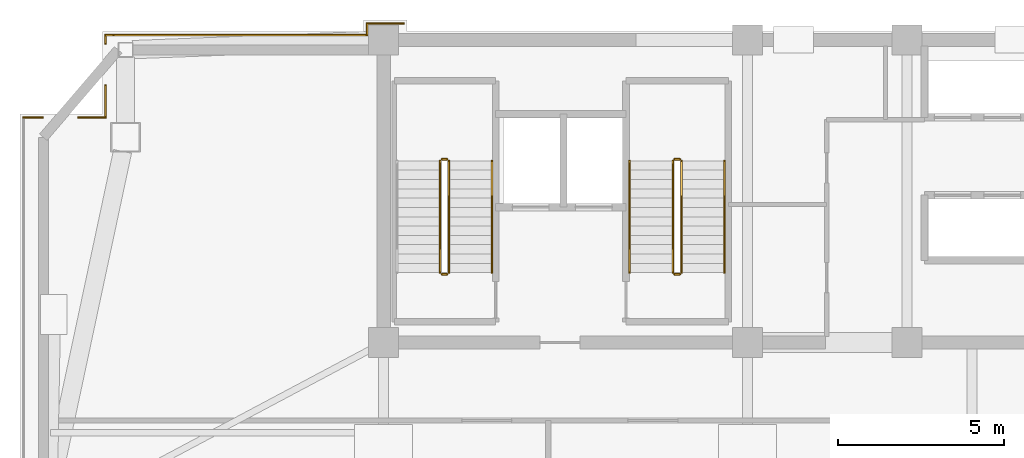
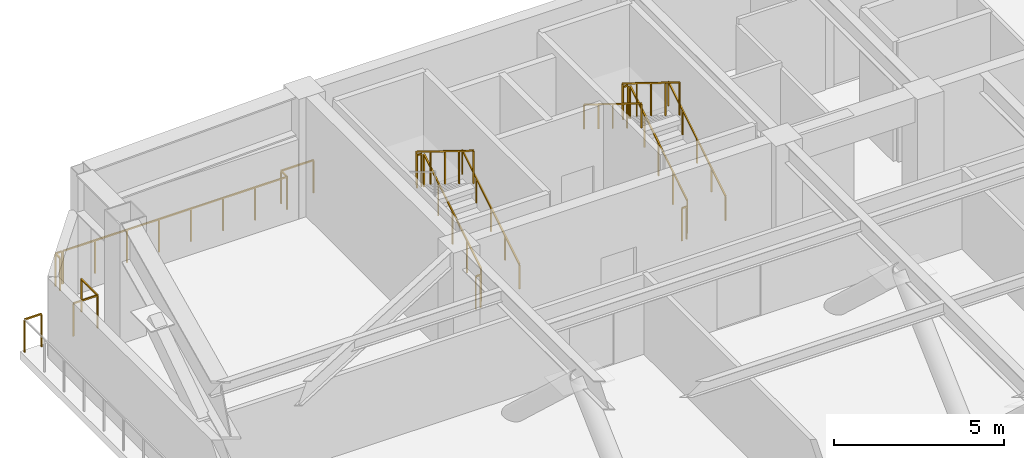
# One storey, part 7 of 8: 19 railings.
"""IFC4 building model written with IfcOpenShell, lengths in metres."""

from ifc_helpers import new_model, si_unit, direction, frame, origin, origin_2d, place, context, subcontext, project, spatial, rectangle, extrude, material, type_object, element, save


model = new_model("IFC4")

# Units and contexts
model_context = context("Model", 3, precision=1e-05, world=origin(), true_north=direction((0.0, 1.0)))
body_context = subcontext(model_context, "Body", "Model", "MODEL_VIEW")
ifc_project = project(units=[si_unit("LENGTHUNIT", "METRE"), si_unit("AREAUNIT", "SQUARE_METRE"), si_unit("VOLUMEUNIT", "CUBIC_METRE"), si_unit("PLANEANGLEUNIT", "RADIAN"), si_unit("MASSUNIT", "GRAM", prefix="KILO")], contexts=[model_context])

# Site, building, storey
site_placement = place(None, origin())
site = spatial("IfcSite", under=ifc_project, at=site_placement, CompositionType="ELEMENT")
building_placement = place(site_placement, origin())
building = spatial("IfcBuilding", under=site, at=building_placement, Name="Giltprow Tower", CompositionType="ELEMENT")
storey_placement = place(building_placement, frame((0.0, 0.0, 285.89990234375)))
storey = spatial("IfcBuildingStorey", under=building, at=storey_placement, Name="L73", CompositionType="ELEMENT", Elevation=285.89990234375)

# Railings
ifc_material = material(Name="Anodized bronze", Category="metal")
railing_type_1 = type_object("IfcRailingType", Name="RAIL-BALC-GUARD-1200", PredefinedType="BALUSTRADE", material=ifc_material)
railing_1_placement = place(storey_placement, frame((9.009033203125, 44.221923828125, 0.0)))
element("IfcRailing", 1, at=railing_1_placement, inside=storey, type_object=railing_type_1, Name="L73 Corner Apron Edge Balustrade 12", PredefinedType="BALUSTRADE", context=body_context, shape_type="SweptSolid", body=[
    extrude(rectangle(XDim=0.048095703125, YDim=0.048095703125, at=origin_2d()), frame((0.0, 0.0, 1.17578125), z_axis=(1.0, 0.0, 0.0), x_axis=(0.0, 1.0, 0.0)), (0.0, 0.0, 1.0), 0.573974609375),
    extrude(rectangle(XDim=0.0419921875, YDim=0.0419921875, at=origin_2d()), origin(), (0.0, 0.0, 1.0), 1.15185546875),
    extrude(rectangle(XDim=0.0419921875, YDim=0.0419921875, at=origin_2d()), frame((0.573974609375, 0.0, 0.0)), (0.0, 0.0, 1.0), 1.15185546875),
])
railing_2_placement = place(storey_placement, frame((10.6630859375, 44.221923828125, 0.0)))
element("IfcRailing", 2, at=railing_2_placement, inside=storey, type_object=railing_type_1, Name="L73 Corner Apron Edge Balustrade 13", PredefinedType="BALUSTRADE", context=body_context, shape_type="SweptSolid", body=[
    extrude(rectangle(XDim=0.048095703125, YDim=0.048095703125, at=origin_2d()), frame((0.0, 0.0, 1.17578125), z_axis=(1.0, 0.0, 0.0), x_axis=(0.0, 1.0, 0.0)), (0.0, 0.0, 1.0), 0.822998046875),
    extrude(rectangle(XDim=0.0419921875, YDim=0.0419921875, at=origin_2d()), origin(), (0.0, 0.0, 1.0), 1.15185546875),
    extrude(rectangle(XDim=0.0419921875, YDim=0.0419921875, at=origin_2d()), frame((0.822998046875, 0.0, 0.0)), (0.0, 0.0, 1.0), 1.15185546875),
])
railing_3_placement = place(storey_placement, frame((11.486083984375, 44.221923828125, 0.0)))
element("IfcRailing", 3, at=railing_3_placement, inside=storey, type_object=railing_type_1, Name="L73 Corner Apron Edge Balustrade 14", PredefinedType="BALUSTRADE", context=body_context, shape_type="SweptSolid", body=[
    extrude(rectangle(XDim=0.048095703125, YDim=0.048095703125, at=origin_2d()), frame((0.0, 0.0, 1.17578125), z_axis=(0.0, 1.0, 0.0), x_axis=(-1.0, 0.0, 0.0)), (0.0, 0.0, 1.0), 0.9599609375),
    extrude(rectangle(XDim=0.0419921875, YDim=0.0419921875, at=origin_2d()), origin(), (0.0, 0.0, 1.0), 1.15185546875),
    extrude(rectangle(XDim=0.0419921875, YDim=0.0419921875, at=origin_2d()), frame((0.0, 0.9599609375, 0.0)), (0.0, 0.0, 1.0), 1.15185546875),
])
railing_4_placement = place(storey_placement, frame((11.486083984375, 46.44189453125, 0.0)))
element("IfcRailing", 4, at=railing_4_placement, inside=storey, type_object=railing_type_1, Name="L73 Corner Apron Edge Balustrade 15", PredefinedType="BALUSTRADE", context=body_context, shape_type="SweptSolid", body=[
    extrude(rectangle(XDim=0.048095703125, YDim=0.048095703125, at=origin_2d()), frame((0.0, 0.0, 1.17578125), z_axis=(0.0, 1.0, 0.0), x_axis=(-1.0, 0.0, 0.0)), (0.0, 0.0, 1.0), 0.257080078125),
    extrude(rectangle(XDim=0.0419921875, YDim=0.0419921875, at=origin_2d()), origin(), (0.0, 0.0, 1.0), 1.15185546875),
    extrude(rectangle(XDim=0.0419921875, YDim=0.0419921875, at=origin_2d()), frame((0.0, 0.257080078125, 0.0)), (0.0, 0.0, 1.0), 1.15185546875),
])
railing_5_placement = place(storey_placement, frame((11.486083984375, 46.698974609375, 0.0)))
element("IfcRailing", 5, at=railing_5_placement, inside=storey, type_object=railing_type_1, Name="L73 Corner Apron Edge Balustrade 16", PredefinedType="BALUSTRADE", context=body_context, shape_type="SweptSolid", body=[
    extrude(rectangle(XDim=0.048095703125, YDim=0.048095703125, at=origin_2d()), frame((0.0, 0.0, 1.17578125), z_axis=(1.0, 0.0, 0.0), x_axis=(0.0, 1.0, 0.0)), (0.0, 0.0, 1.0), 0.219970703125),
    extrude(rectangle(XDim=0.0419921875, YDim=0.0419921875, at=origin_2d()), origin(), (0.0, 0.0, 1.0), 1.15185546875),
    extrude(rectangle(XDim=0.0419921875, YDim=0.0419921875, at=origin_2d()), frame((0.219970703125, 0.0, 0.0)), (0.0, 0.0, 1.0), 1.15185546875),
])
railing_6_placement = place(storey_placement, frame((11.737060546875, 46.698974609375, 0.0)))
element("IfcRailing", 6, at=railing_6_placement, inside=storey, type_object=railing_type_1, Name="L73 Corner Apron Edge Balustrade 17", PredefinedType="BALUSTRADE", context=body_context, shape_type="SweptSolid", body=[
    extrude(rectangle(XDim=0.048095703125, YDim=0.048095703125, at=origin_2d()), frame((0.0, 0.0, 1.17578125), z_axis=(1.0, 0.0, 0.0), x_axis=(0.0, 1.0, 0.0)), (0.0, 0.0, 1.0), 7.613037109375),
    extrude(rectangle(XDim=0.0419921875, YDim=0.0419921875, at=origin_2d()), origin(), (0.0, 0.0, 1.0), 1.15185546875),
    extrude(rectangle(XDim=0.0419921875, YDim=0.0419921875, at=origin_2d()), frame((1.087646484375, 0.0, 0.0)), (0.0, 0.0, 1.0), 1.15185546875),
    extrude(rectangle(XDim=0.0419921875, YDim=0.0419921875, at=origin_2d()), frame((2.175048828125, 0.0, 0.0)), (0.0, 0.0, 1.0), 1.15185546875),
    extrude(rectangle(XDim=0.0419921875, YDim=0.0419921875, at=origin_2d()), frame((3.2626953125, 0.0, 0.0)), (0.0, 0.0, 1.0), 1.15185546875),
    extrude(rectangle(XDim=0.0419921875, YDim=0.0419921875, at=origin_2d()), frame((4.350341796875, 0.0, 0.0)), (0.0, 0.0, 1.0), 1.15185546875),
    extrude(rectangle(XDim=0.0419921875, YDim=0.0419921875, at=origin_2d()), frame((5.43798828125, 0.0, 0.0)), (0.0, 0.0, 1.0), 1.15185546875),
    extrude(rectangle(XDim=0.0419921875, YDim=0.0419921875, at=origin_2d()), frame((6.525390625, 0.0, 0.0)), (0.0, 0.0, 1.0), 1.15185546875),
    extrude(rectangle(XDim=0.0419921875, YDim=0.0419921875, at=origin_2d()), frame((7.613037109375, 0.0, 0.0)), (0.0, 0.0, 1.0), 1.15185546875),
])
railing_7_placement = place(storey_placement, frame((19.35009765625, 46.698974609375, 0.0)))
element("IfcRailing", 7, at=railing_7_placement, inside=storey, type_object=railing_type_1, Name="L73 Corner Apron Edge Balustrade 18", PredefinedType="BALUSTRADE", context=body_context, shape_type="SweptSolid", body=[
    extrude(rectangle(XDim=0.048095703125, YDim=0.048095703125, at=origin_2d()), frame((0.0, 0.0, 1.17578125), z_axis=(0.0, 1.0, 0.0), x_axis=(-1.0, 0.0, 0.0)), (0.0, 0.0, 1.0), 0.35107421875),
    extrude(rectangle(XDim=0.0419921875, YDim=0.0419921875, at=origin_2d()), origin(), (0.0, 0.0, 1.0), 1.15185546875),
    extrude(rectangle(XDim=0.0419921875, YDim=0.0419921875, at=origin_2d()), frame((0.0, 0.35107421875, 0.0)), (0.0, 0.0, 1.0), 1.15185546875),
])
railing_8_placement = place(storey_placement, frame((19.35009765625, 47.050048828125, 0.0)))
element("IfcRailing", 8, at=railing_8_placement, inside=storey, type_object=railing_type_1, Name="L73 Corner Apron Edge Balustrade 19", PredefinedType="BALUSTRADE", context=body_context, shape_type="SweptSolid", body=[
    extrude(rectangle(XDim=0.048095703125, YDim=0.048095703125, at=origin_2d()), frame((0.0, 0.0, 1.17578125), z_axis=(1.0, 0.0, 0.0), x_axis=(0.0, 1.0, 0.0)), (0.0, 0.0, 1.0), 1.099853515625),
    extrude(rectangle(XDim=0.0419921875, YDim=0.0419921875, at=origin_2d()), origin(), (0.0, 0.0, 1.0), 1.15185546875),
    extrude(rectangle(XDim=0.0419921875, YDim=0.0419921875, at=origin_2d()), frame((1.099853515625, 0.0, 0.0)), (0.0, 0.0, 1.0), 1.15185546875),
])
railing_type_2 = type_object("IfcRailingType", Name="RAIL-STAIR-GUARD-1200", PredefinedType="GUARDRAIL", material=ifc_material)
railing_9_placement = place(storey_placement, frame((21.81005859375, 39.550048828125, 0.173095703125)))
element("IfcRailing", 9, at=railing_9_placement, inside=storey, type_object=railing_type_2, Name="L73 ST-1 stair guard 1", PredefinedType="GUARDRAIL", context=body_context, shape_type="SweptSolid", body=[
    extrude(rectangle(XDim=0.048095703125, YDim=0.048095703125, at=origin_2d()), frame((0.0, 0.0, 1.17578125), z_axis=(0.0, 0.850606129759, 0.525803396734), x_axis=(-1.0, 0.0, 0.0)), (0.0, 0.0, 1.0), 3.949951171875),
    extrude(rectangle(XDim=0.0419921875, YDim=0.0419921875, at=origin_2d()), origin(), (0.0, 0.0, 1.0), 1.15185546875),
    extrude(rectangle(XDim=0.0419921875, YDim=0.0419921875, at=origin_2d()), frame((0.0, 0.83984375, 0.519287109375)), (0.0, 0.0, 1.0), 1.15185546875),
    extrude(rectangle(XDim=0.0419921875, YDim=0.0419921875, at=origin_2d()), frame((0.0, 1.679931640625, 1.03857421875)), (0.0, 0.0, 1.0), 1.15185546875),
    extrude(rectangle(XDim=0.0419921875, YDim=0.0419921875, at=origin_2d()), frame((0.0, 2.52001953125, 1.5576171875)), (0.0, 0.0, 1.0), 1.15185546875),
    extrude(rectangle(XDim=0.0419921875, YDim=0.0419921875, at=origin_2d()), frame((0.0, 3.35986328125, 2.076904296875)), (0.0, 0.0, 1.0), 1.15185546875),
])
railing_10_placement = place(storey_placement, frame((21.760009765625, 42.9599609375, 2.25)))
element("IfcRailing", 10, at=railing_10_placement, inside=storey, type_object=railing_type_2, Name="L73 ST-1 stair guard 2", PredefinedType="GUARDRAIL", context=body_context, shape_type="SweptSolid", body=[
    extrude(rectangle(XDim=0.048095703125, YDim=0.048095703125, at=origin_2d()), frame((0.0, 0.0, 1.17578125), z_axis=(-1.0, 0.0, 0.0), x_axis=(0.0, -1.0, 0.0)), (0.0, 0.0, 1.0), 0.159912109375),
    extrude(rectangle(XDim=0.0419921875, YDim=0.0419921875, at=origin_2d()), origin(), (0.0, 0.0, 1.0), 1.15185546875),
    extrude(rectangle(XDim=0.0419921875, YDim=0.0419921875, at=origin_2d()), frame((-0.159912109375, 0.0, 0.0)), (0.0, 0.0, 1.0), 1.15185546875),
])
railing_11_placement = place(storey_placement, frame((21.550048828125, 42.909912109375, 2.423095703125)))
element("IfcRailing", 11, at=railing_11_placement, inside=storey, type_object=railing_type_2, Name="L73 ST-1 stair guard 3", PredefinedType="GUARDRAIL", context=body_context, shape_type="SweptSolid", body=[
    extrude(rectangle(XDim=0.048095703125, YDim=0.048095703125, at=origin_2d()), frame((0.0, 0.0, 1.17578125), z_axis=(0.0, -0.850606129759, 0.525803396734), x_axis=(1.0, 0.0, 0.0)), (0.0, 0.0, 1.0), 3.949951171875),
    extrude(rectangle(XDim=0.0419921875, YDim=0.0419921875, at=origin_2d()), origin(), (0.0, 0.0, 1.0), 1.15185546875),
    extrude(rectangle(XDim=0.0419921875, YDim=0.0419921875, at=origin_2d()), frame((0.0, -0.83984375, 0.519287109375)), (0.0, 0.0, 1.0), 1.15185546875),
    extrude(rectangle(XDim=0.0419921875, YDim=0.0419921875, at=origin_2d()), frame((0.0, -1.679931640625, 1.03857421875)), (0.0, 0.0, 1.0), 1.15185546875),
    extrude(rectangle(XDim=0.0419921875, YDim=0.0419921875, at=origin_2d()), frame((0.0, -2.52001953125, 1.5576171875)), (0.0, 0.0, 1.0), 1.15185546875),
    extrude(rectangle(XDim=0.0419921875, YDim=0.0419921875, at=origin_2d()), frame((0.0, -3.35986328125, 2.076904296875)), (0.0, 0.0, 1.0), 1.15185546875),
])
railing_12_placement = place(storey_placement, frame((21.760009765625, 39.5, 0.0)))
element("IfcRailing", 12, at=railing_12_placement, inside=storey, type_object=railing_type_2, Name="L73 ST-1 stair guard 4", PredefinedType="GUARDRAIL", context=body_context, shape_type="SweptSolid", body=[
    extrude(rectangle(XDim=0.048095703125, YDim=0.048095703125, at=origin_2d()), frame((0.0, 0.0, 1.17578125), z_axis=(-1.0, 0.0, 0.0), x_axis=(0.0, -1.0, 0.0)), (0.0, 0.0, 1.0), 0.159912109375),
    extrude(rectangle(XDim=0.0419921875, YDim=0.0419921875, at=origin_2d()), origin(), (0.0, 0.0, 1.0), 1.15185546875),
    extrude(rectangle(XDim=0.0419921875, YDim=0.0419921875, at=origin_2d()), frame((-0.159912109375, 0.0, 0.0)), (0.0, 0.0, 1.0), 1.15185546875),
])
railing_13_placement = place(storey_placement, frame((28.81005859375, 39.550048828125, 0.173095703125)))
element("IfcRailing", 13, at=railing_13_placement, inside=storey, type_object=railing_type_2, Name="L73 ST-2 stair guard 1", PredefinedType="GUARDRAIL", context=body_context, shape_type="SweptSolid", body=[
    extrude(rectangle(XDim=0.048095703125, YDim=0.048095703125, at=origin_2d()), frame((0.0, 0.0, 1.17578125), z_axis=(0.0, 0.850606129759, 0.525803396734), x_axis=(-1.0, 0.0, 0.0)), (0.0, 0.0, 1.0), 3.949951171875),
    extrude(rectangle(XDim=0.0419921875, YDim=0.0419921875, at=origin_2d()), origin(), (0.0, 0.0, 1.0), 1.15185546875),
    extrude(rectangle(XDim=0.0419921875, YDim=0.0419921875, at=origin_2d()), frame((0.0, 0.83984375, 0.519287109375)), (0.0, 0.0, 1.0), 1.15185546875),
    extrude(rectangle(XDim=0.0419921875, YDim=0.0419921875, at=origin_2d()), frame((0.0, 1.679931640625, 1.03857421875)), (0.0, 0.0, 1.0), 1.15185546875),
    extrude(rectangle(XDim=0.0419921875, YDim=0.0419921875, at=origin_2d()), frame((0.0, 2.52001953125, 1.5576171875)), (0.0, 0.0, 1.0), 1.15185546875),
    extrude(rectangle(XDim=0.0419921875, YDim=0.0419921875, at=origin_2d()), frame((0.0, 3.35986328125, 2.076904296875)), (0.0, 0.0, 1.0), 1.15185546875),
])
railing_14_placement = place(storey_placement, frame((28.760009765625, 42.9599609375, 2.25)))
element("IfcRailing", 14, at=railing_14_placement, inside=storey, type_object=railing_type_2, Name="L73 ST-2 stair guard 2", PredefinedType="GUARDRAIL", context=body_context, shape_type="SweptSolid", body=[
    extrude(rectangle(XDim=0.048095703125, YDim=0.048095703125, at=origin_2d()), frame((0.0, 0.0, 1.17578125), z_axis=(-1.0, 0.0, 0.0), x_axis=(0.0, -1.0, 0.0)), (0.0, 0.0, 1.0), 0.159912109375),
    extrude(rectangle(XDim=0.0419921875, YDim=0.0419921875, at=origin_2d()), origin(), (0.0, 0.0, 1.0), 1.15185546875),
    extrude(rectangle(XDim=0.0419921875, YDim=0.0419921875, at=origin_2d()), frame((-0.159912109375, 0.0, 0.0)), (0.0, 0.0, 1.0), 1.15185546875),
])
railing_15_placement = place(storey_placement, frame((28.550048828125, 42.909912109375, 2.423095703125)))
element("IfcRailing", 15, at=railing_15_placement, inside=storey, type_object=railing_type_2, Name="L73 ST-2 stair guard 3", PredefinedType="GUARDRAIL", context=body_context, shape_type="SweptSolid", body=[
    extrude(rectangle(XDim=0.048095703125, YDim=0.048095703125, at=origin_2d()), frame((0.0, 0.0, 1.17578125), z_axis=(0.0, -0.850606129759, 0.525803396734), x_axis=(1.0, 0.0, 0.0)), (0.0, 0.0, 1.0), 3.949951171875),
    extrude(rectangle(XDim=0.0419921875, YDim=0.0419921875, at=origin_2d()), origin(), (0.0, 0.0, 1.0), 1.15185546875),
    extrude(rectangle(XDim=0.0419921875, YDim=0.0419921875, at=origin_2d()), frame((0.0, -0.83984375, 0.519287109375)), (0.0, 0.0, 1.0), 1.15185546875),
    extrude(rectangle(XDim=0.0419921875, YDim=0.0419921875, at=origin_2d()), frame((0.0, -1.679931640625, 1.03857421875)), (0.0, 0.0, 1.0), 1.15185546875),
    extrude(rectangle(XDim=0.0419921875, YDim=0.0419921875, at=origin_2d()), frame((0.0, -2.52001953125, 1.5576171875)), (0.0, 0.0, 1.0), 1.15185546875),
    extrude(rectangle(XDim=0.0419921875, YDim=0.0419921875, at=origin_2d()), frame((0.0, -3.35986328125, 2.076904296875)), (0.0, 0.0, 1.0), 1.15185546875),
])
railing_16_placement = place(storey_placement, frame((28.760009765625, 39.5, 0.0)))
element("IfcRailing", 16, at=railing_16_placement, inside=storey, type_object=railing_type_2, Name="L73 ST-2 stair guard 4", PredefinedType="GUARDRAIL", context=body_context, shape_type="SweptSolid", body=[
    extrude(rectangle(XDim=0.048095703125, YDim=0.048095703125, at=origin_2d()), frame((0.0, 0.0, 1.17578125), z_axis=(-1.0, 0.0, 0.0), x_axis=(0.0, -1.0, 0.0)), (0.0, 0.0, 1.0), 0.159912109375),
    extrude(rectangle(XDim=0.0419921875, YDim=0.0419921875, at=origin_2d()), origin(), (0.0, 0.0, 1.0), 1.15185546875),
    extrude(rectangle(XDim=0.0419921875, YDim=0.0419921875, at=origin_2d()), frame((-0.159912109375, 0.0, 0.0)), (0.0, 0.0, 1.0), 1.15185546875),
])
railing_type_3 = type_object("IfcRailingType", Name="RAIL-STAIR-HAND-900", PredefinedType="HANDRAIL", material=ifc_material)
for number, where, name in (
    (17, (23.110107421875, 39.550048828125, 0.173095703125), "L73 ST-1 stair handrail 1"),
    (18, (30.110107421875, 39.550048828125, 0.173095703125), "L73 ST-2 stair handrail 1"),
):
    element("IfcRailing", number, at=place(storey_placement, frame(where)), inside=storey, type_object=railing_type_3, Name=name, PredefinedType="HANDRAIL", context=body_context, shape_type="SweptSolid", body=[
        extrude(rectangle(XDim=0.048095703125, YDim=0.048095703125, at=origin_2d()), frame((0.0, 0.0, 0.8759765625), z_axis=(0.0, 0.850606129759, 0.525803396734), x_axis=(-1.0, 0.0, 0.0)), (0.0, 0.0, 1.0), 3.949951171875),
        extrude(rectangle(XDim=0.0419921875, YDim=0.0419921875, at=origin_2d()), origin(), (0.0, 0.0, 1.0), 0.851806640625),
        extrude(rectangle(XDim=0.0419921875, YDim=0.0419921875, at=origin_2d()), frame((0.0, 0.83984375, 0.519287109375)), (0.0, 0.0, 1.0), 0.851806640625),
        extrude(rectangle(XDim=0.0419921875, YDim=0.0419921875, at=origin_2d()), frame((0.0, 1.679931640625, 1.03857421875)), (0.0, 0.0, 1.0), 0.851806640625),
        extrude(rectangle(XDim=0.0419921875, YDim=0.0419921875, at=origin_2d()), frame((0.0, 2.52001953125, 1.5576171875)), (0.0, 0.0, 1.0), 0.851806640625),
        extrude(rectangle(XDim=0.0419921875, YDim=0.0419921875, at=origin_2d()), frame((0.0, 3.35986328125, 2.076904296875)), (0.0, 0.0, 1.0), 0.851806640625),
    ])
railing_17_placement = place(storey_placement, frame((27.25, 42.909912109375, 2.423095703125)))
element("IfcRailing", 19, at=railing_17_placement, inside=storey, type_object=railing_type_3, Name="L73 ST-2 stair handrail 2", PredefinedType="HANDRAIL", context=body_context, shape_type="SweptSolid", body=[
    extrude(rectangle(XDim=0.048095703125, YDim=0.048095703125, at=origin_2d()), frame((0.0, 0.0, 0.8759765625), z_axis=(0.0, -0.850606129759, 0.525803396734), x_axis=(1.0, 0.0, 0.0)), (0.0, 0.0, 1.0), 3.949951171875),
    extrude(rectangle(XDim=0.0419921875, YDim=0.0419921875, at=origin_2d()), origin(), (0.0, 0.0, 1.0), 0.851806640625),
    extrude(rectangle(XDim=0.0419921875, YDim=0.0419921875, at=origin_2d()), frame((0.0, -0.83984375, 0.519287109375)), (0.0, 0.0, 1.0), 0.851806640625),
    extrude(rectangle(XDim=0.0419921875, YDim=0.0419921875, at=origin_2d()), frame((0.0, -1.679931640625, 1.03857421875)), (0.0, 0.0, 1.0), 0.851806640625),
    extrude(rectangle(XDim=0.0419921875, YDim=0.0419921875, at=origin_2d()), frame((0.0, -2.52001953125, 1.5576171875)), (0.0, 0.0, 1.0), 0.851806640625),
    extrude(rectangle(XDim=0.0419921875, YDim=0.0419921875, at=origin_2d()), frame((0.0, -3.35986328125, 2.076904296875)), (0.0, 0.0, 1.0), 0.851806640625),
])

save(model, "model.ifc")
